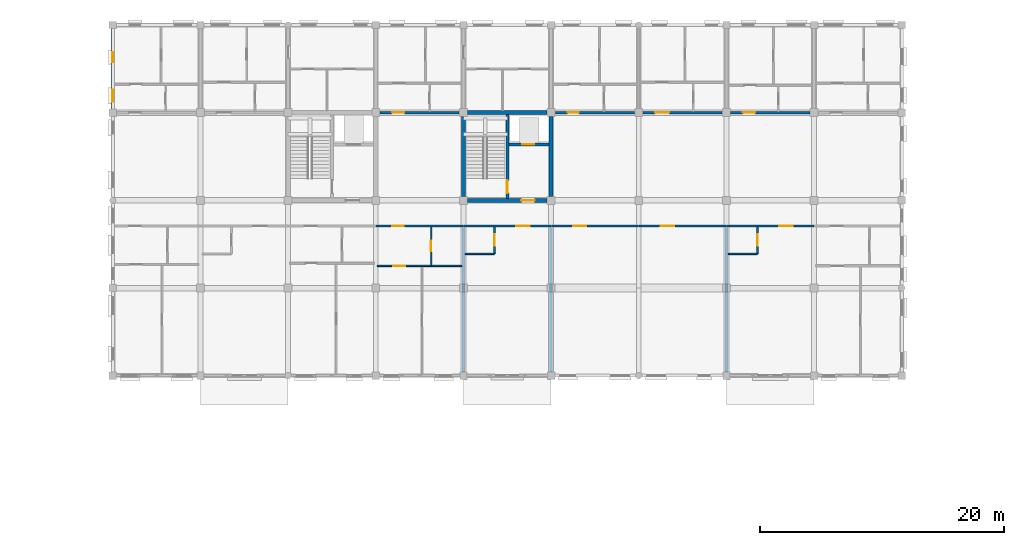
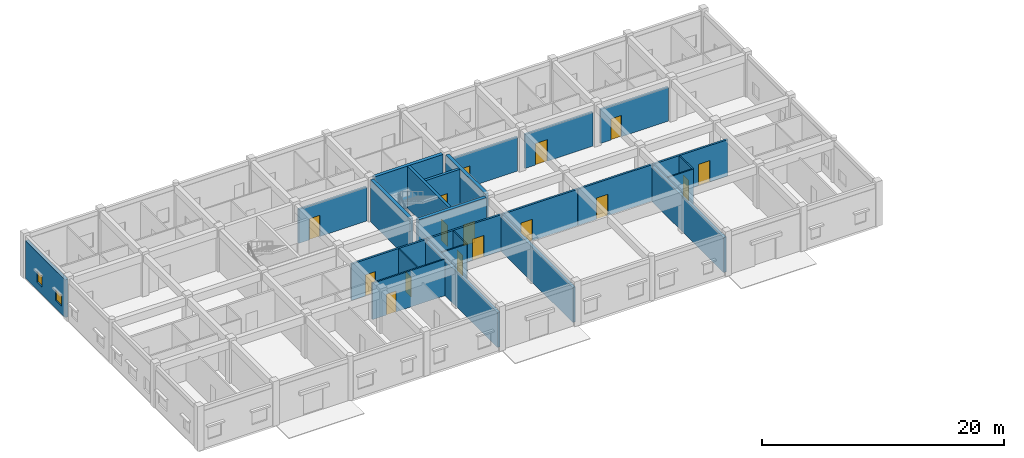
# One storey, part 117 of 138: 25 walls, 16 doors, 2 windows, 18 openings.
"""IFC4 building model written with IfcOpenShell, lengths in metres."""

import ifcopenshell
import ifcopenshell.guid

model = None  # the IFC model being written
_history = None  # IfcOwnerHistory: only IFC2X3 demands one
_inside = {}  # id of a spatial element -> (the spatial element, [elements in it])
_under = {}  # id of a project, library or spatial element -> (it, [spatial elements below it])
_declared = {}  # id of a project -> (the project, [libraries it declares])
_typed = {}  # id of a type object -> (the type object, [elements of that type])
_made_of = {}  # id of a material, layer set ... -> (it, [elements and type objects made of it])


def new_model(schema):
    """Start an empty IFC model of exactly this schema.

    Asked for "IFC4X3", IfcOpenShell would pick the latest addendum, in which some entities
    have other attributes; the version numbers below select the first issue.
    IFC2X3 requires an IfcOwnerHistory on every rooted entity: one is made here for all.
    """
    global model, _history
    if schema == "IFC4X3":
        model = ifcopenshell.file(schema_version=(4, 3, 0, 0))
    else:
        model = ifcopenshell.file(schema=schema)
    _inside.clear()
    _under.clear()
    _declared.clear()
    _typed.clear()
    _made_of.clear()
    _history = None
    if model.schema == "IFC2X3":
        org = make("IfcOrganization", Name="unknown")
        user = make(
            "IfcPersonAndOrganization",
            ThePerson=make("IfcPerson", FamilyName="unknown"),
            TheOrganization=org,
        )
        app = make(
            "IfcApplication",
            ApplicationDeveloper=org,
            Version="unknown",
            ApplicationFullName="unknown",
            ApplicationIdentifier="unknown",
        )
        _history = make(
            "IfcOwnerHistory",
            OwningUser=user,
            OwningApplication=app,
            ChangeAction="ADDED",
            CreationDate=0,
        )
    return model


def make(cls, **values):
    """One entity of the class cls with the attributes given. An attribute that is None is left unset."""
    return model.create_entity(
        cls, **{name: value for name, value in values.items() if value is not None}
    )


def rooted(cls, **values):
    """An entity with a GlobalId (a new one), such as an element, a storey or a relation."""
    return make(cls, GlobalId=ifcopenshell.guid.new(), OwnerHistory=_history, **values)


def si_unit(unit_type, name, prefix=None):
    """IfcSIUnit, for example si_unit("LENGTHUNIT", "METRE", prefix="MILLI")."""
    return make("IfcSIUnit", UnitType=unit_type, Prefix=prefix, Name=name)


def assignment(units):
    """IfcUnitAssignment: the units of a project."""
    return None if units is None else make("IfcUnitAssignment", Units=units)


def point(xyz):
    """IfcCartesianPoint."""
    return None if xyz is None else make("IfcCartesianPoint", Coordinates=xyz)


def direction(xyz):
    """IfcDirection."""
    return None if xyz is None else make("IfcDirection", DirectionRatios=xyz)


def frame(location, z_axis=None, x_axis=None):
    """IfcAxis2Placement3D, a coordinate frame: its origin and axes. An axis left out is left unset."""
    return make(
        "IfcAxis2Placement3D",
        Location=point(location),
        Axis=direction(z_axis),
        RefDirection=direction(x_axis),
    )


def frame_2d(location, x_axis=None):
    """IfcAxis2Placement2D, a coordinate frame in the plane: its origin and x axis."""
    return make(
        "IfcAxis2Placement2D", Location=point(location), RefDirection=direction(x_axis)
    )


def origin():
    """The frame at (0, 0, 0) with its axes left unset."""
    return frame((0.0, 0.0, 0.0))


def place(relative_to, where):
    """IfcLocalPlacement: puts the frame where relative to a parent placement (None: the world)."""
    return make(
        "IfcLocalPlacement", PlacementRelTo=relative_to, RelativePlacement=where
    )


def context(
    kind, dimensions, precision=None, world=None, true_north=None, identifier=None
):
    """IfcGeometricRepresentationContext, for example the 3D "Model" context."""
    return make(
        "IfcGeometricRepresentationContext",
        ContextIdentifier=identifier,
        ContextType=kind,
        CoordinateSpaceDimension=dimensions,
        Precision=precision,
        WorldCoordinateSystem=world,
        TrueNorth=true_north,
    )


def subcontext(parent, identifier, kind, view, scale=None):
    """IfcGeometricRepresentationSubContext, for example "Body" below "Model"."""
    return make(
        "IfcGeometricRepresentationSubContext",
        ContextIdentifier=identifier,
        ContextType=kind,
        ParentContext=parent,
        TargetScale=scale,
        TargetView=view,
    )


def project(units=None, contexts=None):
    """IfcProject with its units and contexts."""
    return rooted(
        "IfcProject",
        Name="project",
        RepresentationContexts=contexts,
        UnitsInContext=assignment(units),
    )


def spatial(cls, under=None, at=None, **own):
    """A site, building, storey or space (cls), placed at a placement, below another one or the project."""
    s = rooted(cls, ObjectPlacement=at, **own)
    if under is not None:
        _under.setdefault(under.id(), (under, []))[1].append(s)
    return s


def profile(cls, at=None, kind="AREA", **sizes):
    """A parametric profile (cls). Its sizes go by their IFC names, for example OverallWidth=200.0."""
    return make(cls, ProfileType=kind, Position=at, **sizes)


def rectangle(**sizes):
    """IfcRectangleProfileDef."""
    return profile("IfcRectangleProfileDef", **sizes)


def extrude(swept, where, along, depth):
    """IfcExtrudedAreaSolid: the profile swept, set in the frame where, extruded along a direction by depth."""
    return make(
        "IfcExtrudedAreaSolid",
        SweptArea=swept,
        Position=where,
        ExtrudedDirection=direction(along),
        Depth=depth,
    )


def shape(context_of_items, identifier, shape_type, items):
    """IfcShapeRepresentation: the items that make up one representation, for example the "Body"."""
    return make(
        "IfcShapeRepresentation",
        ContextOfItems=context_of_items,
        RepresentationIdentifier=identifier,
        RepresentationType=shape_type,
        Items=items,
    )


def material(Name=None, Category=None):
    """IfcMaterial."""
    return make("IfcMaterial", Name=Name, Category=Category)


def layer(
    of_material, thickness, ventilated=None, Name=None, Category=None, Priority=None
):
    """IfcMaterialLayer: one layer of a wall or slab, of a material (None: an air gap)."""
    return make(
        "IfcMaterialLayer",
        Material=of_material,
        LayerThickness=thickness,
        IsVentilated=ventilated,
        Name=Name,
        Category=Category,
        Priority=Priority,
    )


def layer_set(layers, Name=None):
    """IfcMaterialLayerSet."""
    return make("IfcMaterialLayerSet", MaterialLayers=layers, LayerSetName=Name)


def made_of(thing, what):
    """Note that an element or type object is made of a material, layer set ...; save() writes the relation."""
    if what is not None:
        _made_of.setdefault(what.id(), (what, []))[1].append(thing)
    return thing


def type_object(cls, material=None, **own):
    """A type object (cls), such as IfcWallType, which elements share."""
    return made_of(rooted(cls, **own), material)


def element(
    cls,
    number,
    at=None,
    inside=None,
    cuts=None,
    type_object=None,
    material=None,
    context=None,
    identifier="Body",
    shape_type=None,
    held_by="IfcProductDefinitionShape",
    body=None,
    shapes=None,
    **own,
):
    """One element of the class cls, such as IfcWall. Its Tag is "e" and its number.

    at: its placement. inside: the storey or other place that contains it. cuts: it is an
    opening in that element (IfcRelVoidsElement). A single representation is given by context,
    identifier, shape_type and body (its items); several are given by shapes. held_by: the class
    of the entity that holds the representations. save() writes the other relations.
    """
    e = rooted(cls, Tag="e%d" % number, ObjectPlacement=at, **own)
    if body is not None:
        shapes = [shape(context, identifier, shape_type, body)]
    if shapes is not None:
        e.Representation = make(held_by, Representations=shapes)
    if inside is not None:
        _inside.setdefault(inside.id(), (inside, []))[1].append(e)
    if cuts is not None:
        rooted(
            "IfcRelVoidsElement", RelatingBuildingElement=cuts, RelatedOpeningElement=e
        )
    if type_object is not None:
        _typed.setdefault(type_object.id(), (type_object, []))[1].append(e)
    return made_of(e, material)


def fill(opening, filler):
    """IfcRelFillsElement: the door or window that sits in an opening."""
    return rooted(
        "IfcRelFillsElement",
        RelatingOpeningElement=opening,
        RelatedBuildingElement=filler,
    )


def aggregate(whole, parts):
    """IfcRelAggregates: a whole, such as a stair, and the parts it consists of."""
    return rooted("IfcRelAggregates", RelatingObject=whole, RelatedObjects=parts)


def save(model, path):
    """Write the relations noted so far, then the file.

    IfcRelAggregates (storeys below a building ...), IfcRelContainedInSpatialStructure (elements
    in a storey), IfcRelDefinesByType, IfcRelAssociatesMaterial and IfcRelDeclares: one each for
    every whole, place, type object, material and project.
    """
    for whole, parts in _under.values():
        aggregate(whole, parts)
    for where, things in _inside.values():
        rooted(
            "IfcRelContainedInSpatialStructure",
            RelatedElements=things,
            RelatingStructure=where,
        )
    for kind, things in _typed.values():
        rooted("IfcRelDefinesByType", RelatedObjects=things, RelatingType=kind)
    for what, things in _made_of.values():
        rooted("IfcRelAssociatesMaterial", RelatedObjects=things, RelatingMaterial=what)
    for by, libraries in _declared.values():
        rooted("IfcRelDeclares", RelatingContext=by, RelatedDefinitions=libraries)
    model.write(path)


model = new_model("IFC4")

# Units and contexts
model_context = context("Model", 3, precision=1e-05, world=origin(), true_north=direction((0.0, 1.0)))
body_context = subcontext(model_context, "Body", "Model", "MODEL_VIEW")
ifc_project = project(units=[si_unit("LENGTHUNIT", "METRE"), si_unit("AREAUNIT", "SQUARE_METRE"), si_unit("VOLUMEUNIT", "CUBIC_METRE"), si_unit("PLANEANGLEUNIT", "RADIAN"), si_unit("MASSUNIT", "GRAM", prefix="KILO"), si_unit("THERMODYNAMICTEMPERATUREUNIT", "KELVIN"), si_unit("POWERUNIT", "WATT")], contexts=[model_context])

# Site, building, storey
site_placement = place(None, origin())
site = spatial("IfcSite", under=ifc_project, at=site_placement, CompositionType="ELEMENT")
building_placement = place(site_placement, origin())
building = spatial("IfcBuilding", under=site, at=building_placement, Name="Tavuni Mirador Residences", CompositionType="ELEMENT")
storey_placement = place(building_placement, origin())
storey = spatial("IfcBuildingStorey", under=building, at=storey_placement, Name="L00", CompositionType="ELEMENT", Elevation=0.0)

# Wall, opening, door
ifc_material_1 = material(Name="Precast concrete C40/50", Category="concrete")
ifc_layer_1 = layer(ifc_material_1, 0.25, Name="Precast concrete C40/50", Category="concrete")
ifc_layer_set_1 = layer_set([ifc_layer_1], Name="Precast concrete C40/50")
wall_type_1 = type_object("IfcWallType", Name="WT-COR250", PredefinedType="SHEAR", material=ifc_layer_set_1)
wall_1_placement = place(storey_placement, frame((43.199951171875, 158.56005859375, 0.0), z_axis=(0.0, 0.0, 1.0), x_axis=(0.0, 1.0, 0.0)))
wall_1 = element("IfcWall", 1, at=wall_1_placement, inside=storey, type_object=wall_type_1, Name="CWALL-C6-L00-MID", PredefinedType="SHEAR", context=body_context, shape_type="SweptSolid", body=[
    extrude(rectangle(XDim=6.8798828125, YDim=0.25, at=frame_2d((3.43994140625, 0.0))), origin(), (0.0, 0.0, 1.0), 4.235107421875),
])
opening_1_placement = place(wall_1_placement, frame((0.43994140625, 0.0, 0.0)))
opening_1 = element("IfcOpeningElement", 2, at=opening_1_placement, cuts=wall_1, Name="Opening D-01", PredefinedType="OPENING", context=body_context, shape_type="SweptSolid", body=[
    extrude(rectangle(XDim=1.050048828125, YDim=2.14990234375, at=frame_2d((0.52490234375, 1.074951171875))), frame((0.0, 0.135009765625, 0.0), z_axis=(0.0, -1.0, 0.0), x_axis=(1.0, 0.0, 0.0)), (0.0, 0.0, 1.0), 0.27001953125),
])
ifc_material_2 = material(Name="Solid core iroko timber", Category="wood")
door_type_1 = type_object("IfcDoorType", Name="DT-ST1050", OperationType="NOTDEFINED", PredefinedType="DOOR", material=ifc_material_2)
door_1_placement = place(opening_1_placement, frame((1.050048828125, 0.0, 0.0), z_axis=(0.0, 0.0, 1.0), x_axis=(-1.0, 0.0, 0.0)))
door_1 = element("IfcDoor", 3, at=door_1_placement, inside=storey, type_object=door_type_1, Name="DR-2220", OperationType="SINGLE_SWING_RIGHT", OverallHeight=2.14990234375, OverallWidth=1.050048828125, PredefinedType="DOOR", context=body_context, shape_type="SweptSolid", body=[
    extrude(rectangle(XDim=1.050048828125, YDim=2.14990234375, at=frame_2d((0.52490234375, 1.074951171875))), frame((0.0, 0.02490234375, 0.0), z_axis=(0.0, -1.0, 0.0), x_axis=(1.0, 0.0, 0.0)), (0.0, 0.0, 1.0), 0.050048828125),
])
fill(opening_1, door_1)

wall_2_placement = place(storey_placement, frame((43.324951171875, 163.0, 0.0), z_axis=(0.0, 0.0, 1.0), x_axis=(1.0, 0.0, 0.0)))
wall_2 = element("IfcWall", 4, at=wall_2_placement, inside=storey, type_object=wall_type_1, Name="CWALL-C6-L00-SHF", PredefinedType="SHEAR", context=body_context, shape_type="SweptSolid", body=[
    extrude(rectangle(XDim=3.31494140625, YDim=0.25, at=frame_2d((1.657470703125, 0.0))), origin(), (0.0, 0.0, 1.0), 4.235107421875),
])
opening_2_placement = place(wall_2_placement, frame((1.10009765625, 0.0, 0.0)))
opening_2 = element("IfcOpeningElement", 5, at=opening_2_placement, cuts=wall_2, Name="Opening LD-02", PredefinedType="OPENING", context=body_context, shape_type="SweptSolid", body=[
    extrude(rectangle(XDim=1.0, YDim=2.199951171875, at=frame_2d((0.5, 1.10009765625))), frame((0.0, 0.135009765625, 0.0), z_axis=(0.0, -1.0, 0.0), x_axis=(1.0, 0.0, 0.0)), (0.0, 0.0, 1.0), 0.27001953125),
])
ifc_material_3 = material(Name="Structural steel S355", Category="steel")
door_type_2 = type_object("IfcDoorType", Name="DT-LD-PAX", OperationType="SLIDING_TO_LEFT", PredefinedType="DOOR", material=ifc_material_3)
door_2_placement = place(opening_2_placement, origin())
door_2 = element("IfcDoor", 6, at=door_2_placement, inside=storey, type_object=door_type_2, Name="Lift landing door PL-C1 L00", OperationType="SLIDING_TO_LEFT", OverallHeight=2.199951171875, OverallWidth=1.0, PredefinedType="DOOR", context=body_context, shape_type="SweptSolid", body=[
    extrude(rectangle(XDim=1.0, YDim=2.199951171875, at=frame_2d((0.5, 1.10009765625))), frame((0.0, 0.02490234375, 0.0), z_axis=(0.0, -1.0, 0.0), x_axis=(1.0, 0.0, 0.0)), (0.0, 0.0, 1.0), 0.050048828125),
])
fill(opening_2, door_2)

# Walls
ifc_layer_2 = layer(ifc_material_1, 0.320068359375, Name="Precast concrete C40/50", Category="concrete")
ifc_layer_set_2 = layer_set([ifc_layer_2], Name="Precast concrete C40/50")
wall_type_2 = type_object("IfcWallType", Name="WT-COR320", PredefinedType="SHEAR", material=ifc_layer_set_2)
wall_3_placement = place(storey_placement, frame((39.60009765625, 158.72509765625, 0.0), z_axis=(0.0, 0.0, 1.0), x_axis=(0.0, 1.0, 0.0)))
element("IfcWall", 7, at=wall_3_placement, inside=storey, type_object=wall_type_2, Name="CWALL-C6-L00-W", PredefinedType="SHEAR", context=body_context, shape_type="SweptSolid", body=[
    extrude(rectangle(XDim=6.5498046875, YDim=0.320068359375, at=frame_2d((3.27490234375, 0.0))), origin(), (0.0, 0.0, 1.0), 4.235107421875),
])
wall_4_placement = place(storey_placement, frame((39.925048828125, 165.60009765625, 0.0), z_axis=(0.0, 0.0, 1.0), x_axis=(1.0, 0.0, 0.0)))
element("IfcWall", 8, at=wall_4_placement, inside=storey, type_object=wall_type_2, Name="CWALL-C6-L00-N", PredefinedType="SHEAR", context=body_context, shape_type="SweptSolid", body=[
    extrude(rectangle(XDim=6.550048828125, YDim=0.320068359375, at=frame_2d((3.27490234375, 0.0))), origin(), (0.0, 0.0, 1.0), 4.235107421875),
])
wall_5_placement = place(storey_placement, frame((46.800048828125, 158.72509765625, 0.0), z_axis=(0.0, 0.0, 1.0), x_axis=(0.0, 1.0, 0.0)))
element("IfcWall", 9, at=wall_5_placement, inside=storey, type_object=wall_type_2, Name="CWALL-C6-L00-E", PredefinedType="SHEAR", context=body_context, shape_type="SweptSolid", body=[
    extrude(rectangle(XDim=6.5498046875, YDim=0.320068359375, at=frame_2d((3.27490234375, 0.0))), origin(), (0.0, 0.0, 1.0), 4.235107421875),
])

# Wall, opening, door
wall_6_placement = place(storey_placement, frame((39.925048828125, 158.39990234375, 0.0), z_axis=(0.0, 0.0, 1.0), x_axis=(1.0, 0.0, 0.0)))
wall_6 = element("IfcWall", 10, at=wall_6_placement, inside=storey, type_object=wall_type_2, Name="CWALL-C6-L00-SS", PredefinedType="SHEAR", context=body_context, shape_type="SweptSolid", body=[
    extrude(rectangle(XDim=6.550048828125, YDim=0.320068359375, at=frame_2d((3.27490234375, 0.0))), origin(), (0.0, 0.0, 1.0), 4.235107421875),
])
opening_3_placement = place(wall_6_placement, frame((4.425048828125, 0.0, 0.0)))
opening_3 = element("IfcOpeningElement", 11, at=opening_3_placement, cuts=wall_6, Name="Opening D-02", PredefinedType="OPENING", context=body_context, shape_type="SweptSolid", body=[
    extrude(rectangle(XDim=1.10009765625, YDim=2.14990234375, at=frame_2d((0.550048828125, 1.074951171875))), frame((0.0, 0.169921875, 0.0), z_axis=(0.0, -1.0, 0.0), x_axis=(1.0, 0.0, 0.0)), (0.0, 0.0, 1.0), 0.340087890625),
])
door_type_3 = type_object("IfcDoorType", Name="DT-LOB1100", OperationType="NOTDEFINED", PredefinedType="DOOR", material=ifc_material_2)
door_3_placement = place(opening_3_placement, frame((1.10009765625, 0.0, 0.0), z_axis=(0.0, 0.0, 1.0), x_axis=(-1.0, 0.0, 0.0)))
door_3 = element("IfcDoor", 12, at=door_3_placement, inside=storey, type_object=door_type_3, Name="DR-2219", OperationType="SINGLE_SWING_LEFT", OverallHeight=2.14990234375, OverallWidth=1.10009765625, PredefinedType="DOOR", context=body_context, shape_type="SweptSolid", body=[
    extrude(rectangle(XDim=1.10009765625, YDim=2.14990234375, at=frame_2d((0.550048828125, 1.074951171875))), frame((0.0, 0.02490234375, 0.0), z_axis=(0.0, -1.0, 0.0), x_axis=(1.0, 0.0, 0.0)), (0.0, 0.0, 1.0), 0.050048828125),
])
fill(opening_3, door_3)

ifc_layer_3 = layer(ifc_material_1, 0.18505859375, Name="Precast concrete C40/50", Category="concrete")
ifc_layer_set_3 = layer_set([ifc_layer_3], Name="Precast concrete C40/50")
wall_type_3 = type_object("IfcWallType", Name="WT-CORR185", PredefinedType="PARTITIONING", material=ifc_layer_set_3)
wall_7_placement = place(storey_placement, frame((32.419921875, 156.300048828125, 0.0), z_axis=(0.0, 0.0, 1.0), x_axis=(1.0, 0.0, 0.0)))
wall_7 = element("IfcWall", 13, at=wall_7_placement, inside=storey, type_object=wall_type_3, Name="CORW-BLK-C-L00-0-03", PredefinedType="PARTITIONING", context=body_context, shape_type="SweptSolid", body=[
    extrude(rectangle(XDim=7.16015625, YDim=0.18505859375, at=frame_2d((3.580078125, 0.0))), origin(), (0.0, 0.0, 1.0), 3.669921875),
])
opening_4_placement = place(wall_7_placement, frame((1.330078125, 0.0, 0.0)))
opening_4 = element("IfcOpeningElement", 14, at=opening_4_placement, cuts=wall_7, Name="Opening D-19", PredefinedType="OPENING", context=body_context, shape_type="SweptSolid", body=[
    extrude(rectangle(XDim=0.93994140625, YDim=2.1201171875, at=frame_2d((0.469970703125, 1.06005859375))), frame((0.0, 0.1025390625, 0.0), z_axis=(0.0, -1.0, 0.0), x_axis=(1.0, 0.0, 0.0)), (0.0, 0.0, 1.0), 0.205078125),
])
door_type_4 = type_object("IfcDoorType", Name="DT-FD60-940", OperationType="NOTDEFINED", PredefinedType="DOOR", material=ifc_material_2)
door_4_placement = place(opening_4_placement, origin())
door_4 = element("IfcDoor", 15, at=door_4_placement, inside=storey, type_object=door_type_4, Name="DR-2614", OperationType="SINGLE_SWING_LEFT", OverallHeight=2.1201171875, OverallWidth=0.93994140625, PredefinedType="DOOR", context=body_context, shape_type="SweptSolid", body=[
    extrude(rectangle(XDim=0.93994140625, YDim=2.1201171875, at=frame_2d((0.469970703125, 1.06005859375))), frame((0.0, 0.02490234375, 0.0), z_axis=(0.0, -1.0, 0.0), x_axis=(1.0, 0.0, 0.0)), (0.0, 0.0, 1.0), 0.050048828125),
])
fill(opening_4, door_4)

wall_8_placement = place(storey_placement, frame((39.6201171875, 156.300048828125, 0.0), z_axis=(0.0, 0.0, 1.0), x_axis=(1.0, 0.0, 0.0)))
wall_8 = element("IfcWall", 16, at=wall_8_placement, inside=storey, type_object=wall_type_3, Name="CORW-BLK-C-L00-0-04", PredefinedType="PARTITIONING", context=body_context, shape_type="SweptSolid", body=[
    extrude(rectangle(XDim=7.159912109375, YDim=0.18505859375, at=frame_2d((3.580078125, 0.0))), origin(), (0.0, 0.0, 1.0), 3.669921875),
])
opening_5_placement = place(wall_8_placement, frame((4.330078125, 0.0, 0.0)))
opening_5 = element("IfcOpeningElement", 17, at=opening_5_placement, cuts=wall_8, Name="Opening D-02", PredefinedType="OPENING", context=body_context, shape_type="SweptSolid", body=[
    extrude(rectangle(XDim=1.10009765625, YDim=2.14990234375, at=frame_2d((0.550048828125, 1.074951171875))), frame((0.0, 0.1025390625, 0.0), z_axis=(0.0, -1.0, 0.0), x_axis=(1.0, 0.0, 0.0)), (0.0, 0.0, 1.0), 0.205078125),
])
door_5_placement = place(opening_5_placement, origin())
door_5 = element("IfcDoor", 18, at=door_5_placement, inside=storey, type_object=door_type_3, Name="DR-2615", OperationType="SINGLE_SWING_RIGHT", OverallHeight=2.14990234375, OverallWidth=1.10009765625, PredefinedType="DOOR", context=body_context, shape_type="SweptSolid", body=[
    extrude(rectangle(XDim=1.10009765625, YDim=2.14990234375, at=frame_2d((0.550048828125, 1.074951171875))), frame((0.0, 0.02490234375, 0.0), z_axis=(0.0, -1.0, 0.0), x_axis=(1.0, 0.0, 0.0)), (0.0, 0.0, 1.0), 0.050048828125),
])
fill(opening_5, door_5)

wall_9_placement = place(storey_placement, frame((46.820068359375, 156.300048828125, 0.0), z_axis=(0.0, 0.0, 1.0), x_axis=(1.0, 0.0, 0.0)))
wall_9 = element("IfcWall", 19, at=wall_9_placement, inside=storey, type_object=wall_type_3, Name="CORW-BLK-C-L00-0-05", PredefinedType="PARTITIONING", context=body_context, shape_type="SweptSolid", body=[
    extrude(rectangle(XDim=7.159912109375, YDim=0.18505859375, at=frame_2d((3.580078125, 0.0))), origin(), (0.0, 0.0, 1.0), 3.669921875),
])
opening_6_placement = place(wall_9_placement, frame((1.780029296875, 0.0, 0.0)))
opening_6 = element("IfcOpeningElement", 20, at=opening_6_placement, cuts=wall_9, Name="Opening D-02", PredefinedType="OPENING", context=body_context, shape_type="SweptSolid", body=[
    extrude(rectangle(XDim=1.10009765625, YDim=2.14990234375, at=frame_2d((0.550048828125, 1.074951171875))), frame((0.0, 0.1025390625, 0.0), z_axis=(0.0, -1.0, 0.0), x_axis=(1.0, 0.0, 0.0)), (0.0, 0.0, 1.0), 0.205078125),
])
door_6_placement = place(opening_6_placement, origin())
door_6 = element("IfcDoor", 21, at=door_6_placement, inside=storey, type_object=door_type_3, Name="DR-2616", OperationType="SINGLE_SWING_LEFT", OverallHeight=2.14990234375, OverallWidth=1.10009765625, PredefinedType="DOOR", context=body_context, shape_type="SweptSolid", body=[
    extrude(rectangle(XDim=1.10009765625, YDim=2.14990234375, at=frame_2d((0.550048828125, 1.074951171875))), frame((0.0, 0.02490234375, 0.0), z_axis=(0.0, -1.0, 0.0), x_axis=(1.0, 0.0, 0.0)), (0.0, 0.0, 1.0), 0.050048828125),
])
fill(opening_6, door_6)

wall_10_placement = place(storey_placement, frame((54.02001953125, 156.300048828125, 0.0), z_axis=(0.0, 0.0, 1.0), x_axis=(1.0, 0.0, 0.0)))
wall_10 = element("IfcWall", 22, at=wall_10_placement, inside=storey, type_object=wall_type_3, Name="CORW-BLK-C-L00-0-06", PredefinedType="PARTITIONING", context=body_context, shape_type="SweptSolid", body=[
    extrude(rectangle(XDim=7.159912109375, YDim=0.18505859375, at=frame_2d((3.580078125, 0.0))), origin(), (0.0, 0.0, 1.0), 3.669921875),
])
opening_7_placement = place(wall_10_placement, frame((1.780029296875, 0.0, 0.0)))
opening_7 = element("IfcOpeningElement", 23, at=opening_7_placement, cuts=wall_10, Name="Opening D-02", PredefinedType="OPENING", context=body_context, shape_type="SweptSolid", body=[
    extrude(rectangle(XDim=1.10009765625, YDim=2.14990234375, at=frame_2d((0.550048828125, 1.074951171875))), frame((0.0, 0.1025390625, 0.0), z_axis=(0.0, -1.0, 0.0), x_axis=(1.0, 0.0, 0.0)), (0.0, 0.0, 1.0), 0.205078125),
])
door_7_placement = place(opening_7_placement, origin())
door_7 = element("IfcDoor", 24, at=door_7_placement, inside=storey, type_object=door_type_3, Name="DR-2617", OperationType="SINGLE_SWING_RIGHT", OverallHeight=2.14990234375, OverallWidth=1.10009765625, PredefinedType="DOOR", context=body_context, shape_type="SweptSolid", body=[
    extrude(rectangle(XDim=1.10009765625, YDim=2.14990234375, at=frame_2d((0.550048828125, 1.074951171875))), frame((0.0, 0.02490234375, 0.0), z_axis=(0.0, -1.0, 0.0), x_axis=(1.0, 0.0, 0.0)), (0.0, 0.0, 1.0), 0.050048828125),
])
fill(opening_7, door_7)

wall_11_placement = place(storey_placement, frame((61.219970703125, 156.300048828125, 0.0), z_axis=(0.0, 0.0, 1.0), x_axis=(1.0, 0.0, 0.0)))
wall_11 = element("IfcWall", 25, at=wall_11_placement, inside=storey, type_object=wall_type_3, Name="CORW-BLK-C-L00-0-07", PredefinedType="PARTITIONING", context=body_context, shape_type="SweptSolid", body=[
    extrude(rectangle(XDim=7.159912109375, YDim=0.18505859375, at=frame_2d((3.580078125, 0.0))), origin(), (0.0, 0.0, 1.0), 3.669921875),
])
opening_8_placement = place(wall_11_placement, frame((4.330078125, 0.0, 0.0)))
opening_8 = element("IfcOpeningElement", 26, at=opening_8_placement, cuts=wall_11, Name="Opening D-02", PredefinedType="OPENING", context=body_context, shape_type="SweptSolid", body=[
    extrude(rectangle(XDim=1.10009765625, YDim=2.14990234375, at=frame_2d((0.550048828125, 1.074951171875))), frame((0.0, 0.1025390625, 0.0), z_axis=(0.0, -1.0, 0.0), x_axis=(1.0, 0.0, 0.0)), (0.0, 0.0, 1.0), 0.205078125),
])
door_8_placement = place(opening_8_placement, origin())
door_8 = element("IfcDoor", 27, at=door_8_placement, inside=storey, type_object=door_type_3, Name="DR-2618", OperationType="SINGLE_SWING_LEFT", OverallHeight=2.14990234375, OverallWidth=1.10009765625, PredefinedType="DOOR", context=body_context, shape_type="SweptSolid", body=[
    extrude(rectangle(XDim=1.10009765625, YDim=2.14990234375, at=frame_2d((0.550048828125, 1.074951171875))), frame((0.0, 0.02490234375, 0.0), z_axis=(0.0, -1.0, 0.0), x_axis=(1.0, 0.0, 0.0)), (0.0, 0.0, 1.0), 0.050048828125),
])
fill(opening_8, door_8)

wall_12_placement = place(storey_placement, frame((32.75, 165.60009765625, 0.0), z_axis=(0.0, 0.0, 1.0), x_axis=(1.0, 0.0, 0.0)))
wall_12 = element("IfcWall", 28, at=wall_12_placement, inside=storey, type_object=wall_type_3, Name="CORW-BLK-C-L00-1-03", PredefinedType="PARTITIONING", context=body_context, shape_type="SweptSolid", body=[
    extrude(rectangle(XDim=6.5, YDim=0.18505859375, at=frame_2d((3.25, 0.0))), origin(), (0.0, 0.0, 1.0), 3.43505859375),
])
opening_9_placement = place(wall_12_placement, frame((1.0, 0.0, 0.0)))
opening_9 = element("IfcOpeningElement", 29, at=opening_9_placement, cuts=wall_12, Name="Opening D-03", PredefinedType="OPENING", context=body_context, shape_type="SweptSolid", body=[
    extrude(rectangle(XDim=1.0, YDim=2.14990234375, at=frame_2d((0.5, 1.074951171875))), frame((0.0, 0.1025390625, 0.0), z_axis=(0.0, -1.0, 0.0), x_axis=(1.0, 0.0, 0.0)), (0.0, 0.0, 1.0), 0.205078125),
])
door_type_5 = type_object("IfcDoorType", Name="DT-FD60-1000", OperationType="NOTDEFINED", PredefinedType="DOOR", material=ifc_material_2)
door_9_placement = place(opening_9_placement, origin())
door_9 = element("IfcDoor", 30, at=door_9_placement, inside=storey, type_object=door_type_5, Name="DR-2622", OperationType="SINGLE_SWING_LEFT", OverallHeight=2.14990234375, OverallWidth=1.0, PredefinedType="DOOR", context=body_context, shape_type="SweptSolid", body=[
    extrude(rectangle(XDim=1.0, YDim=2.14990234375, at=frame_2d((0.5, 1.074951171875))), frame((0.0, 0.02490234375, 0.0), z_axis=(0.0, -1.0, 0.0), x_axis=(1.0, 0.0, 0.0)), (0.0, 0.0, 1.0), 0.050048828125),
])
fill(opening_9, door_9)

wall_13_placement = place(storey_placement, frame((47.14990234375, 165.60009765625, 0.0), z_axis=(0.0, 0.0, 1.0), x_axis=(1.0, 0.0, 0.0)))
wall_13 = element("IfcWall", 31, at=wall_13_placement, inside=storey, type_object=wall_type_3, Name="CORW-BLK-C-L00-1-05", PredefinedType="PARTITIONING", context=body_context, shape_type="SweptSolid", body=[
    extrude(rectangle(XDim=6.5, YDim=0.18505859375, at=frame_2d((3.25, 0.0))), origin(), (0.0, 0.0, 1.0), 3.43505859375),
])
opening_10_placement = place(wall_13_placement, frame((1.0, 0.0, 0.0)))
opening_10 = element("IfcOpeningElement", 32, at=opening_10_placement, cuts=wall_13, Name="Opening D-19", PredefinedType="OPENING", context=body_context, shape_type="SweptSolid", body=[
    extrude(rectangle(XDim=0.93994140625, YDim=2.1201171875, at=frame_2d((0.469970703125, 1.06005859375))), frame((0.0, 0.1025390625, 0.0), z_axis=(0.0, -1.0, 0.0), x_axis=(1.0, 0.0, 0.0)), (0.0, 0.0, 1.0), 0.205078125),
])
door_10_placement = place(opening_10_placement, origin())
door_10 = element("IfcDoor", 33, at=door_10_placement, inside=storey, type_object=door_type_4, Name="DR-2623", OperationType="SINGLE_SWING_RIGHT", OverallHeight=2.1201171875, OverallWidth=0.93994140625, PredefinedType="DOOR", context=body_context, shape_type="SweptSolid", body=[
    extrude(rectangle(XDim=0.93994140625, YDim=2.1201171875, at=frame_2d((0.469970703125, 1.06005859375))), frame((0.0, 0.02490234375, 0.0), z_axis=(0.0, -1.0, 0.0), x_axis=(1.0, 0.0, 0.0)), (0.0, 0.0, 1.0), 0.050048828125),
])
fill(opening_10, door_10)

wall_14_placement = place(storey_placement, frame((54.35009765625, 165.60009765625, 0.0), z_axis=(0.0, 0.0, 1.0), x_axis=(1.0, 0.0, 0.0)))
wall_14 = element("IfcWall", 34, at=wall_14_placement, inside=storey, type_object=wall_type_3, Name="CORW-BLK-C-L00-1-06", PredefinedType="PARTITIONING", context=body_context, shape_type="SweptSolid", body=[
    extrude(rectangle(XDim=6.5, YDim=0.18505859375, at=frame_2d((3.25, 0.0))), origin(), (0.0, 0.0, 1.0), 3.43505859375),
])
opening_11_placement = place(wall_14_placement, frame((1.0, 0.0, 0.0)))
opening_11 = element("IfcOpeningElement", 35, at=opening_11_placement, cuts=wall_14, Name="Opening D-20", PredefinedType="OPENING", context=body_context, shape_type="SweptSolid", body=[
    extrude(rectangle(XDim=1.139892578125, YDim=2.179931640625, at=frame_2d((0.56982421875, 1.08984375))), frame((0.0, 0.1025390625, 0.0), z_axis=(0.0, -1.0, 0.0), x_axis=(1.0, 0.0, 0.0)), (0.0, 0.0, 1.0), 0.205078125),
])
door_type_6 = type_object("IfcDoorType", Name="DT-FD60-1140", OperationType="NOTDEFINED", PredefinedType="DOOR", material=ifc_material_2)
door_11_placement = place(opening_11_placement, origin())
door_11 = element("IfcDoor", 36, at=door_11_placement, inside=storey, type_object=door_type_6, Name="DR-2624", OperationType="SINGLE_SWING_LEFT", OverallHeight=2.179931640625, OverallWidth=1.139892578125, PredefinedType="DOOR", context=body_context, shape_type="SweptSolid", body=[
    extrude(rectangle(XDim=1.139892578125, YDim=2.179931640625, at=frame_2d((0.56982421875, 1.08984375))), frame((0.0, 0.02490234375, 0.0), z_axis=(0.0, -1.0, 0.0), x_axis=(1.0, 0.0, 0.0)), (0.0, 0.0, 1.0), 0.050048828125),
])
fill(opening_11, door_11)

wall_15_placement = place(storey_placement, frame((61.550048828125, 165.60009765625, 0.0), z_axis=(0.0, 0.0, 1.0), x_axis=(1.0, 0.0, 0.0)))
wall_15 = element("IfcWall", 37, at=wall_15_placement, inside=storey, type_object=wall_type_3, Name="CORW-BLK-C-L00-1-07", PredefinedType="PARTITIONING", context=body_context, shape_type="SweptSolid", body=[
    extrude(rectangle(XDim=6.5, YDim=0.18505859375, at=frame_2d((3.25, 0.0))), origin(), (0.0, 0.0, 1.0), 3.43505859375),
])
opening_12_placement = place(wall_15_placement, frame((1.0, 0.0, 0.0)))
opening_12 = element("IfcOpeningElement", 38, at=opening_12_placement, cuts=wall_15, Name="Opening D-03", PredefinedType="OPENING", context=body_context, shape_type="SweptSolid", body=[
    extrude(rectangle(XDim=1.0, YDim=2.14990234375, at=frame_2d((0.5, 1.074951171875))), frame((0.0, 0.1025390625, 0.0), z_axis=(0.0, -1.0, 0.0), x_axis=(1.0, 0.0, 0.0)), (0.0, 0.0, 1.0), 0.205078125),
])
door_12_placement = place(opening_12_placement, origin())
door_12 = element("IfcDoor", 39, at=door_12_placement, inside=storey, type_object=door_type_5, Name="DR-2625", OperationType="SINGLE_SWING_RIGHT", OverallHeight=2.14990234375, OverallWidth=1.0, PredefinedType="DOOR", context=body_context, shape_type="SweptSolid", body=[
    extrude(rectangle(XDim=1.0, YDim=2.14990234375, at=frame_2d((0.5, 1.074951171875))), frame((0.0, 0.02490234375, 0.0), z_axis=(0.0, -1.0, 0.0), x_axis=(1.0, 0.0, 0.0)), (0.0, 0.0, 1.0), 0.050048828125),
])
fill(opening_12, door_12)

# Wall, openings, windows
ifc_material_4 = material(Name="Sgraffito lime-rendered precast concrete C40/50", Category="concrete")
ifc_layer_4 = layer(ifc_material_4, 0.2900390625, Name="Sgraffito lime-rendered precast concrete C40/50", Category="concrete")
ifc_layer_set_4 = layer_set([ifc_layer_4], Name="Sgraffito lime-rendered precast concrete C40/50")
wall_type_4 = type_object("IfcWallType", Name="WT-EXT-PC290", PredefinedType="SOLIDWALL", material=ifc_layer_set_4)
wall_16_placement = place(storey_placement, frame((10.800048828125, 172.5, 0.0), z_axis=(0.0, 0.0, 1.0), x_axis=(0.0, -1.0, 0.0)))
wall_16 = element("IfcWall", 40, at=wall_16_placement, inside=storey, type_object=wall_type_4, Name="EW-BLK-C-L00-W03", PredefinedType="SOLIDWALL", context=body_context, shape_type="SweptSolid", body=[
    extrude(rectangle(XDim=6.60009765625, YDim=0.2900390625, at=frame_2d((3.300048828125, 0.0))), origin(), (0.0, 0.0, 1.0), 3.804931640625),
])
opening_13_placement = place(wall_16_placement, frame((1.925048828125, 0.0, 0.780029296875)))
opening_13 = element("IfcOpeningElement", 41, at=opening_13_placement, cuts=wall_16, Name="Opening WN-01", PredefinedType="OPENING", context=body_context, shape_type="SweptSolid", body=[
    extrude(rectangle(XDim=0.85009765625, YDim=1.14990234375, at=frame_2d((0.425048828125, 0.574951171875))), frame((0.0, 0.155029296875, 0.0), z_axis=(0.0, -1.0, 0.0), x_axis=(1.0, 0.0, 0.0)), (0.0, 0.0, 1.0), 0.31005859375),
])
opening_14_placement = place(wall_16_placement, frame((5.010009765625, 0.0, 0.780029296875)))
opening_14 = element("IfcOpeningElement", 42, at=opening_14_placement, cuts=wall_16, Name="Opening WN-03", PredefinedType="OPENING", context=body_context, shape_type="SweptSolid", body=[
    extrude(rectangle(XDim=1.0, YDim=1.14990234375, at=frame_2d((0.5, 0.574951171875))), frame((0.0, 0.155029296875, 0.0), z_axis=(0.0, -1.0, 0.0), x_axis=(1.0, 0.0, 0.0)), (0.0, 0.0, 1.0), 0.31005859375),
])
ifc_material_5 = material(Name="Laminated solar-control glass", Category="glass")
window_type_1 = type_object("IfcWindowType", Name="WNT-01", PartitioningType="SINGLE_PANEL", PredefinedType="WINDOW", material=ifc_material_5)
window_1_placement = place(opening_13_placement, origin())
window_1 = element("IfcWindow", 43, at=window_1_placement, inside=storey, type_object=window_type_1, Name="WIN-0840", OverallHeight=1.14990234375, OverallWidth=0.85009765625, PartitioningType="SINGLE_PANEL", PredefinedType="WINDOW", context=body_context, shape_type="SweptSolid", body=[
    extrude(rectangle(XDim=0.85009765625, YDim=1.14990234375, at=frame_2d((0.425048828125, 0.574951171875))), frame((0.0, 0.030029296875, 0.0), z_axis=(0.0, -1.0, 0.0), x_axis=(1.0, 0.0, 0.0)), (0.0, 0.0, 1.0), 0.06005859375),
])
fill(opening_13, window_1)
window_type_2 = type_object("IfcWindowType", Name="WNT-03", PartitioningType="SINGLE_PANEL", PredefinedType="WINDOW", material=ifc_material_5)
window_2_placement = place(opening_14_placement, origin())
window_2 = element("IfcWindow", 44, at=window_2_placement, inside=storey, type_object=window_type_2, Name="WIN-0841", OverallHeight=1.14990234375, OverallWidth=1.0, PartitioningType="SINGLE_PANEL", PredefinedType="WINDOW", context=body_context, shape_type="SweptSolid", body=[
    extrude(rectangle(XDim=1.0, YDim=1.14990234375, at=frame_2d((0.5, 0.574951171875))), frame((0.0, 0.030029296875, 0.0), z_axis=(0.0, -1.0, 0.0), x_axis=(1.0, 0.0, 0.0)), (0.0, 0.0, 1.0), 0.06005859375),
])
fill(opening_14, window_2)

# Wall, opening, door
ifc_material_6 = material(Name="Acoustic gypsum and concrete block partition", Category="concrete")
ifc_layer_5 = layer(ifc_material_6, 0.10498046875, Name="Acoustic gypsum and concrete block partition", Category="concrete")
ifc_layer_set_5 = layer_set([ifc_layer_5], Name="Acoustic gypsum and concrete block partition")
wall_type_5 = type_object("IfcWallType", Name="WT-PART105", PredefinedType="PARTITIONING", material=ifc_layer_set_5)
wall_17_placement = place(storey_placement, frame((36.949951171875, 153.090087890625, 0.0), z_axis=(0.0, 0.0, 1.0), x_axis=(0.0, 1.0, 0.0)))
wall_17 = element("IfcWall", 45, at=wall_17_placement, inside=storey, type_object=wall_type_5, Name="PW-BLK-C-L00-S03-IN1", PredefinedType="PARTITIONING", context=body_context, shape_type="SweptSolid", body=[
    extrude(rectangle(XDim=3.119873046875, YDim=0.10498046875, at=frame_2d((1.56005859375, 0.0))), origin(), (0.0, 0.0, 1.0), 3.669921875),
])
opening_15_placement = place(wall_17_placement, frame((1.110107421875, 0.0, 0.0)))
opening_15 = element("IfcOpeningElement", 46, at=opening_15_placement, cuts=wall_17, Name="Opening D-09", PredefinedType="OPENING", context=body_context, shape_type="SweptSolid", body=[
    extrude(rectangle(XDim=0.89990234375, YDim=2.050048828125, at=frame_2d((0.449951171875, 1.02490234375))), frame((0.0, 0.0625, 0.0), z_axis=(0.0, -1.0, 0.0), x_axis=(1.0, 0.0, 0.0)), (0.0, 0.0, 1.0), 0.125),
])
door_type_7 = type_object("IfcDoorType", Name="DT-WC900", OperationType="NOTDEFINED", PredefinedType="DOOR", material=ifc_material_2)
door_13_placement = place(opening_15_placement, origin())
door_13 = element("IfcDoor", 47, at=door_13_placement, inside=storey, type_object=door_type_7, Name="DR-3660", OperationType="SINGLE_SWING_LEFT", OverallHeight=2.050048828125, OverallWidth=0.89990234375, PredefinedType="DOOR", context=body_context, shape_type="SweptSolid", body=[
    extrude(rectangle(XDim=0.89990234375, YDim=2.050048828125, at=frame_2d((0.449951171875, 1.02490234375))), frame((0.0, 0.02490234375, 0.0), z_axis=(0.0, -1.0, 0.0), x_axis=(1.0, 0.0, 0.0)), (0.0, 0.0, 1.0), 0.050048828125),
])
fill(opening_15, door_13)

# Walls
ifc_layer_6 = layer(ifc_material_6, 0.114990234375, Name="Acoustic gypsum and concrete block partition", Category="concrete")
ifc_layer_set_6 = layer_set([ifc_layer_6], Name="Acoustic gypsum and concrete block partition")
wall_type_6 = type_object("IfcWallType", Name="WT-PART115", PredefinedType="PARTITIONING", material=ifc_layer_set_6)
for number, where, z_axis, x_axis, name in (
    (48, (39.739990234375, 154.0, 0.0), (0.0, 0.0, 1.0), (1.0, 0.0, 0.0), "PW-BLK-C-L00-S04-1"),
    (49, (61.340087890625, 154.0, 0.0), (0.0, 0.0, 1.0), (1.0, 0.0, 0.0), "PW-BLK-C-L00-S07-1"),
):
    element("IfcWall", number, at=place(storey_placement, frame(where, z_axis=z_axis, x_axis=x_axis)), inside=storey, type_object=wall_type_6, Name=name, PredefinedType="PARTITIONING", context=body_context, shape_type="SweptSolid", body=[
        extrude(rectangle(XDim=2.409912109375, YDim=0.114990234375, at=frame_2d((1.205078125, 0.0))), origin(), (0.0, 0.0, 1.0), 3.669921875),
    ])

# Wall, opening, door
ifc_layer_7 = layer(ifc_material_6, 0.125, Name="Acoustic gypsum and concrete block partition", Category="concrete")
ifc_layer_set_7 = layer_set([ifc_layer_7], Name="Acoustic gypsum and concrete block partition")
wall_type_7 = type_object("IfcWallType", Name="WT-PART125", PredefinedType="PARTITIONING", material=ifc_layer_set_7)
wall_18_placement = place(storey_placement, frame((42.14990234375, 154.0, 0.0), z_axis=(0.0, 0.0, 1.0), x_axis=(0.0, 1.0, 0.0)))
wall_18 = element("IfcWall", 50, at=wall_18_placement, inside=storey, type_object=wall_type_7, Name="PW-BLK-C-L00-S04-2", PredefinedType="PARTITIONING", context=body_context, shape_type="SweptSolid", body=[
    extrude(rectangle(XDim=2.2099609375, YDim=0.125, at=frame_2d((1.10498046875, 0.0))), origin(), (0.0, 0.0, 1.0), 3.669921875),
])
opening_16_placement = place(wall_18_placement, frame((0.679931640625, 0.0, 0.0)))
opening_16 = element("IfcOpeningElement", 51, at=opening_16_placement, cuts=wall_18, Name="Opening D-06", PredefinedType="OPENING", context=body_context, shape_type="SweptSolid", body=[
    extrude(rectangle(XDim=0.919921875, YDim=2.10009765625, at=frame_2d((0.4599609375, 1.050048828125))), frame((0.0, 0.072509765625, 0.0), z_axis=(0.0, -1.0, 0.0), x_axis=(1.0, 0.0, 0.0)), (0.0, 0.0, 1.0), 0.14501953125),
])
door_type_8 = type_object("IfcDoorType", Name="DT-INT920", OperationType="NOTDEFINED", PredefinedType="DOOR", material=ifc_material_2)
door_14_placement = place(opening_16_placement, origin())
door_14 = element("IfcDoor", 52, at=door_14_placement, inside=storey, type_object=door_type_8, Name="DR-3665", OperationType="SINGLE_SWING_RIGHT", OverallHeight=2.10009765625, OverallWidth=0.919921875, PredefinedType="DOOR", context=body_context, shape_type="SweptSolid", body=[
    extrude(rectangle(XDim=0.919921875, YDim=2.10009765625, at=frame_2d((0.4599609375, 1.050048828125))), frame((0.0, 0.02490234375, 0.0), z_axis=(0.0, -1.0, 0.0), x_axis=(1.0, 0.0, 0.0)), (0.0, 0.0, 1.0), 0.050048828125),
])
fill(opening_16, door_14)

wall_19_placement = place(storey_placement, frame((63.75, 154.0, 0.0), z_axis=(0.0, 0.0, 1.0), x_axis=(0.0, 1.0, 0.0)))
wall_19 = element("IfcWall", 53, at=wall_19_placement, inside=storey, type_object=wall_type_7, Name="PW-BLK-C-L00-S07-2", PredefinedType="PARTITIONING", context=body_context, shape_type="SweptSolid", body=[
    extrude(rectangle(XDim=2.2099609375, YDim=0.125, at=frame_2d((1.10498046875, 0.0))), origin(), (0.0, 0.0, 1.0), 3.669921875),
])
opening_17_placement = place(wall_19_placement, frame((0.679931640625, 0.0, 0.0)))
opening_17 = element("IfcOpeningElement", 54, at=opening_17_placement, cuts=wall_19, Name="Opening D-06", PredefinedType="OPENING", context=body_context, shape_type="SweptSolid", body=[
    extrude(rectangle(XDim=0.919921875, YDim=2.10009765625, at=frame_2d((0.4599609375, 1.050048828125))), frame((0.0, 0.072509765625, 0.0), z_axis=(0.0, -1.0, 0.0), x_axis=(1.0, 0.0, 0.0)), (0.0, 0.0, 1.0), 0.14501953125),
])
door_15_placement = place(opening_17_placement, origin())
door_15 = element("IfcDoor", 55, at=door_15_placement, inside=storey, type_object=door_type_8, Name="DR-3674", OperationType="SINGLE_SWING_RIGHT", OverallHeight=2.10009765625, OverallWidth=0.919921875, PredefinedType="DOOR", context=body_context, shape_type="SweptSolid", body=[
    extrude(rectangle(XDim=0.919921875, YDim=2.10009765625, at=frame_2d((0.4599609375, 1.050048828125))), frame((0.0, 0.02490234375, 0.0), z_axis=(0.0, -1.0, 0.0), x_axis=(1.0, 0.0, 0.0)), (0.0, 0.0, 1.0), 0.050048828125),
])
fill(opening_17, door_15)

ifc_layer_8 = layer(ifc_material_6, 0.139892578125, Name="Acoustic gypsum and concrete block partition", Category="concrete")
ifc_layer_set_8 = layer_set([ifc_layer_8], Name="Acoustic gypsum and concrete block partition")
wall_type_8 = type_object("IfcWallType", Name="WT-PART140", PredefinedType="PARTITIONING", material=ifc_layer_set_8)
wall_20_placement = place(storey_placement, frame((32.5400390625, 153.02001953125, 0.0), z_axis=(0.0, 0.0, 1.0), x_axis=(1.0, 0.0, 0.0)))
wall_20 = element("IfcWall", 56, at=wall_20_placement, inside=storey, type_object=wall_type_8, Name="PW-BLK-C-L00-S03-MID", PredefinedType="PARTITIONING", context=body_context, shape_type="SweptSolid", body=[
    extrude(rectangle(XDim=6.919921875, YDim=0.139892578125, at=frame_2d((3.4599609375, 0.0))), origin(), (0.0, 0.0, 1.0), 3.669921875),
])
opening_18_placement = place(wall_20_placement, frame((1.31005859375, 0.0, 0.0)))
opening_18 = element("IfcOpeningElement", 57, at=opening_18_placement, cuts=wall_20, Name="Opening D-05", PredefinedType="OPENING", context=body_context, shape_type="SweptSolid", body=[
    extrude(rectangle(XDim=0.949951171875, YDim=2.10009765625, at=frame_2d((0.47509765625, 1.050048828125))), frame((0.0, 0.080078125, 0.0), z_axis=(0.0, -1.0, 0.0), x_axis=(1.0, 0.0, 0.0)), (0.0, 0.0, 1.0), 0.159912109375),
])
door_type_9 = type_object("IfcDoorType", Name="DT-INT950", OperationType="NOTDEFINED", PredefinedType="DOOR", material=ifc_material_2)
door_16_placement = place(opening_18_placement, origin())
door_16 = element("IfcDoor", 58, at=door_16_placement, inside=storey, type_object=door_type_9, Name="DR-3661", OperationType="SINGLE_SWING_LEFT", OverallHeight=2.10009765625, OverallWidth=0.949951171875, PredefinedType="DOOR", context=body_context, shape_type="SweptSolid", body=[
    extrude(rectangle(XDim=0.949951171875, YDim=2.10009765625, at=frame_2d((0.47509765625, 1.050048828125))), frame((0.0, 0.02490234375, 0.0), z_axis=(0.0, -1.0, 0.0), x_axis=(1.0, 0.0, 0.0)), (0.0, 0.0, 1.0), 0.050048828125),
])
fill(opening_18, door_16)

# Walls
ifc_layer_9 = layer(ifc_material_1, 0.264892578125, Name="Precast concrete C40/50", Category="concrete")
ifc_layer_set_9 = layer_set([ifc_layer_9], Name="Precast concrete C40/50")
wall_type_9 = type_object("IfcWallType", Name="WT-XW265", PredefinedType="SOLIDWALL", material=ifc_layer_set_9)
for number, where, z_axis, x_axis, name in (
    (59, (39.60009765625, 144.300048828125, 0.0), (0.0, 0.0, 1.0), (0.0, 1.0, 0.0), "XW-BLK-C-L00-S-04"),
    (60, (46.800048828125, 144.300048828125, 0.0), (0.0, 0.0, 1.0), (0.0, 1.0, 0.0), "XW-BLK-C-L00-S-05"),
    (61, (61.199951171875, 144.300048828125, 0.0), (0.0, 0.0, 1.0), (0.0, 1.0, 0.0), "XW-BLK-C-L00-S-07"),
):
    element("IfcWall", number, at=place(storey_placement, frame(where, z_axis=z_axis, x_axis=x_axis)), inside=storey, type_object=wall_type_9, Name=name, PredefinedType="SOLIDWALL", context=body_context, shape_type="SweptSolid", body=[
        extrude(rectangle(XDim=11.849853515625, YDim=0.264892578125, at=frame_2d((5.9248046875, 0.0))), origin(), (0.0, 0.0, 1.0), 3.534912109375),
    ])

save(model, "model.ifc")
